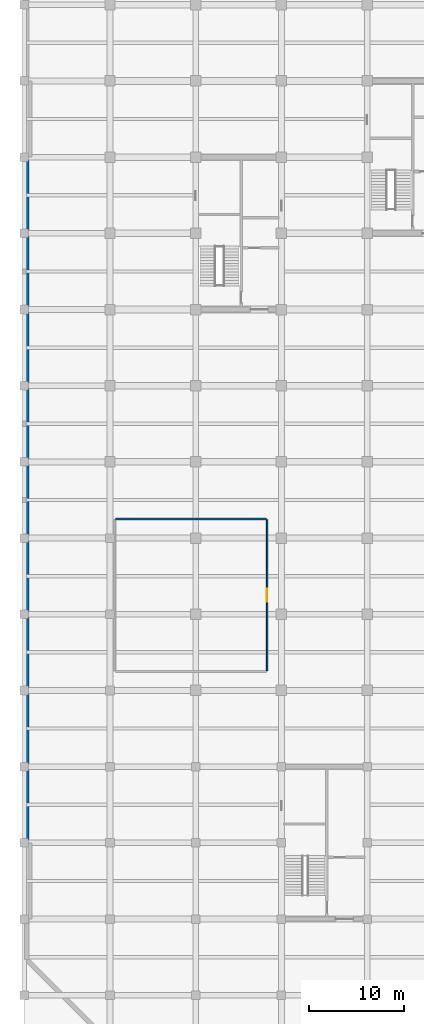
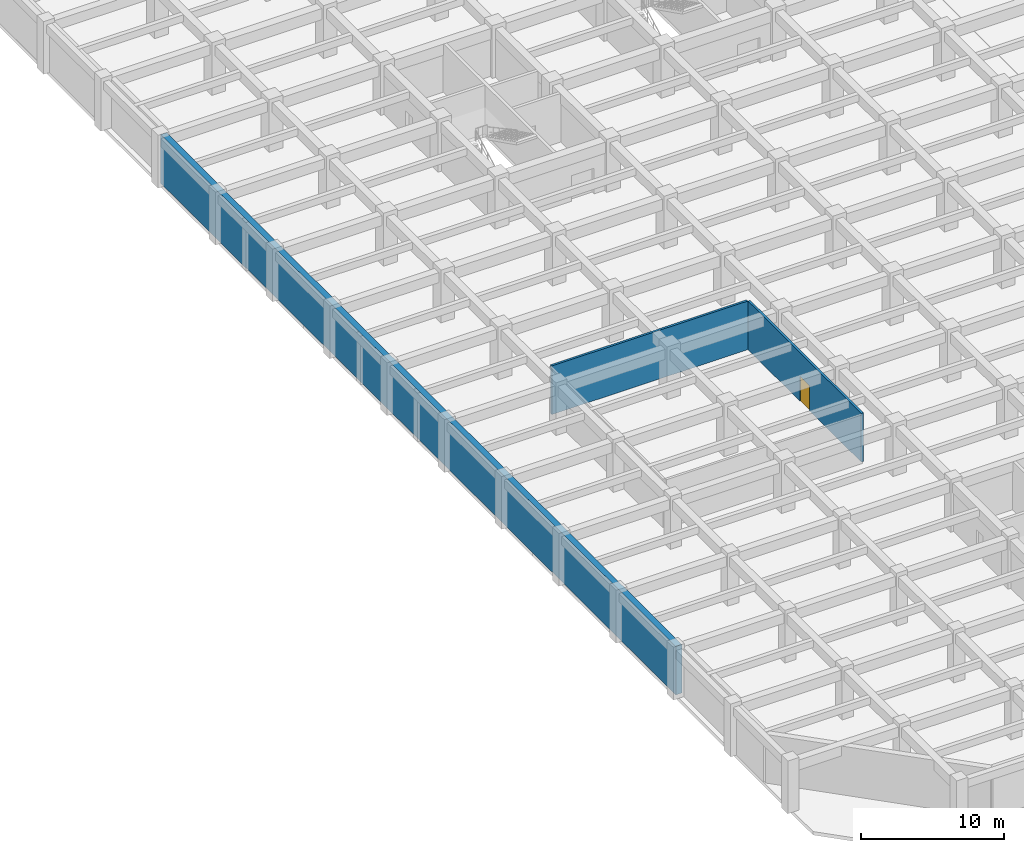
# One storey, part 10 of 26: 3 walls, 1 door, 1 opening.
"""IFC4 building model written with IfcOpenShell, lengths in metres."""

import ifcopenshell
import ifcopenshell.guid

model = None  # the IFC model being written
_history = None  # IfcOwnerHistory: only IFC2X3 demands one
_inside = {}  # id of a spatial element -> (the spatial element, [elements in it])
_under = {}  # id of a project, library or spatial element -> (it, [spatial elements below it])
_declared = {}  # id of a project -> (the project, [libraries it declares])
_typed = {}  # id of a type object -> (the type object, [elements of that type])
_made_of = {}  # id of a material, layer set ... -> (it, [elements and type objects made of it])


def new_model(schema):
    """Start an empty IFC model of exactly this schema.

    Asked for "IFC4X3", IfcOpenShell would pick the latest addendum, in which some entities
    have other attributes; the version numbers below select the first issue.
    IFC2X3 requires an IfcOwnerHistory on every rooted entity: one is made here for all.
    """
    global model, _history
    if schema == "IFC4X3":
        model = ifcopenshell.file(schema_version=(4, 3, 0, 0))
    else:
        model = ifcopenshell.file(schema=schema)
    _inside.clear()
    _under.clear()
    _declared.clear()
    _typed.clear()
    _made_of.clear()
    _history = None
    if model.schema == "IFC2X3":
        org = make("IfcOrganization", Name="unknown")
        user = make(
            "IfcPersonAndOrganization",
            ThePerson=make("IfcPerson", FamilyName="unknown"),
            TheOrganization=org,
        )
        app = make(
            "IfcApplication",
            ApplicationDeveloper=org,
            Version="unknown",
            ApplicationFullName="unknown",
            ApplicationIdentifier="unknown",
        )
        _history = make(
            "IfcOwnerHistory",
            OwningUser=user,
            OwningApplication=app,
            ChangeAction="ADDED",
            CreationDate=0,
        )
    return model


def make(cls, **values):
    """One entity of the class cls with the attributes given. An attribute that is None is left unset."""
    return model.create_entity(
        cls, **{name: value for name, value in values.items() if value is not None}
    )


def rooted(cls, **values):
    """An entity with a GlobalId (a new one), such as an element, a storey or a relation."""
    return make(cls, GlobalId=ifcopenshell.guid.new(), OwnerHistory=_history, **values)


def si_unit(unit_type, name, prefix=None):
    """IfcSIUnit, for example si_unit("LENGTHUNIT", "METRE", prefix="MILLI")."""
    return make("IfcSIUnit", UnitType=unit_type, Prefix=prefix, Name=name)


def assignment(units):
    """IfcUnitAssignment: the units of a project."""
    return None if units is None else make("IfcUnitAssignment", Units=units)


def point(xyz):
    """IfcCartesianPoint."""
    return None if xyz is None else make("IfcCartesianPoint", Coordinates=xyz)


def direction(xyz):
    """IfcDirection."""
    return None if xyz is None else make("IfcDirection", DirectionRatios=xyz)


def frame(location, z_axis=None, x_axis=None):
    """IfcAxis2Placement3D, a coordinate frame: its origin and axes. An axis left out is left unset."""
    return make(
        "IfcAxis2Placement3D",
        Location=point(location),
        Axis=direction(z_axis),
        RefDirection=direction(x_axis),
    )


def frame_2d(location, x_axis=None):
    """IfcAxis2Placement2D, a coordinate frame in the plane: its origin and x axis."""
    return make(
        "IfcAxis2Placement2D", Location=point(location), RefDirection=direction(x_axis)
    )


def origin():
    """The frame at (0, 0, 0) with its axes left unset."""
    return frame((0.0, 0.0, 0.0))


def place(relative_to, where):
    """IfcLocalPlacement: puts the frame where relative to a parent placement (None: the world)."""
    return make(
        "IfcLocalPlacement", PlacementRelTo=relative_to, RelativePlacement=where
    )


def context(
    kind, dimensions, precision=None, world=None, true_north=None, identifier=None
):
    """IfcGeometricRepresentationContext, for example the 3D "Model" context."""
    return make(
        "IfcGeometricRepresentationContext",
        ContextIdentifier=identifier,
        ContextType=kind,
        CoordinateSpaceDimension=dimensions,
        Precision=precision,
        WorldCoordinateSystem=world,
        TrueNorth=true_north,
    )


def subcontext(parent, identifier, kind, view, scale=None):
    """IfcGeometricRepresentationSubContext, for example "Body" below "Model"."""
    return make(
        "IfcGeometricRepresentationSubContext",
        ContextIdentifier=identifier,
        ContextType=kind,
        ParentContext=parent,
        TargetScale=scale,
        TargetView=view,
    )


def project(units=None, contexts=None):
    """IfcProject with its units and contexts."""
    return rooted(
        "IfcProject",
        Name="project",
        RepresentationContexts=contexts,
        UnitsInContext=assignment(units),
    )


def spatial(cls, under=None, at=None, **own):
    """A site, building, storey or space (cls), placed at a placement, below another one or the project."""
    s = rooted(cls, ObjectPlacement=at, **own)
    if under is not None:
        _under.setdefault(under.id(), (under, []))[1].append(s)
    return s


def profile(cls, at=None, kind="AREA", **sizes):
    """A parametric profile (cls). Its sizes go by their IFC names, for example OverallWidth=200.0."""
    return make(cls, ProfileType=kind, Position=at, **sizes)


def rectangle(**sizes):
    """IfcRectangleProfileDef."""
    return profile("IfcRectangleProfileDef", **sizes)


def extrude(swept, where, along, depth):
    """IfcExtrudedAreaSolid: the profile swept, set in the frame where, extruded along a direction by depth."""
    return make(
        "IfcExtrudedAreaSolid",
        SweptArea=swept,
        Position=where,
        ExtrudedDirection=direction(along),
        Depth=depth,
    )


def shape(context_of_items, identifier, shape_type, items):
    """IfcShapeRepresentation: the items that make up one representation, for example the "Body"."""
    return make(
        "IfcShapeRepresentation",
        ContextOfItems=context_of_items,
        RepresentationIdentifier=identifier,
        RepresentationType=shape_type,
        Items=items,
    )


def material(Name=None, Category=None):
    """IfcMaterial."""
    return make("IfcMaterial", Name=Name, Category=Category)


def layer(
    of_material, thickness, ventilated=None, Name=None, Category=None, Priority=None
):
    """IfcMaterialLayer: one layer of a wall or slab, of a material (None: an air gap)."""
    return make(
        "IfcMaterialLayer",
        Material=of_material,
        LayerThickness=thickness,
        IsVentilated=ventilated,
        Name=Name,
        Category=Category,
        Priority=Priority,
    )


def layer_set(layers, Name=None):
    """IfcMaterialLayerSet."""
    return make("IfcMaterialLayerSet", MaterialLayers=layers, LayerSetName=Name)


def made_of(thing, what):
    """Note that an element or type object is made of a material, layer set ...; save() writes the relation."""
    if what is not None:
        _made_of.setdefault(what.id(), (what, []))[1].append(thing)
    return thing


def type_object(cls, material=None, **own):
    """A type object (cls), such as IfcWallType, which elements share."""
    return made_of(rooted(cls, **own), material)


def element(
    cls,
    number,
    at=None,
    inside=None,
    cuts=None,
    type_object=None,
    material=None,
    context=None,
    identifier="Body",
    shape_type=None,
    held_by="IfcProductDefinitionShape",
    body=None,
    shapes=None,
    **own,
):
    """One element of the class cls, such as IfcWall. Its Tag is "e" and its number.

    at: its placement. inside: the storey or other place that contains it. cuts: it is an
    opening in that element (IfcRelVoidsElement). A single representation is given by context,
    identifier, shape_type and body (its items); several are given by shapes. held_by: the class
    of the entity that holds the representations. save() writes the other relations.
    """
    e = rooted(cls, Tag="e%d" % number, ObjectPlacement=at, **own)
    if body is not None:
        shapes = [shape(context, identifier, shape_type, body)]
    if shapes is not None:
        e.Representation = make(held_by, Representations=shapes)
    if inside is not None:
        _inside.setdefault(inside.id(), (inside, []))[1].append(e)
    if cuts is not None:
        rooted(
            "IfcRelVoidsElement", RelatingBuildingElement=cuts, RelatedOpeningElement=e
        )
    if type_object is not None:
        _typed.setdefault(type_object.id(), (type_object, []))[1].append(e)
    return made_of(e, material)


def fill(opening, filler):
    """IfcRelFillsElement: the door or window that sits in an opening."""
    return rooted(
        "IfcRelFillsElement",
        RelatingOpeningElement=opening,
        RelatedBuildingElement=filler,
    )


def aggregate(whole, parts):
    """IfcRelAggregates: a whole, such as a stair, and the parts it consists of."""
    return rooted("IfcRelAggregates", RelatingObject=whole, RelatedObjects=parts)


def save(model, path):
    """Write the relations noted so far, then the file.

    IfcRelAggregates (storeys below a building ...), IfcRelContainedInSpatialStructure (elements
    in a storey), IfcRelDefinesByType, IfcRelAssociatesMaterial and IfcRelDeclares: one each for
    every whole, place, type object, material and project.
    """
    for whole, parts in _under.values():
        aggregate(whole, parts)
    for where, things in _inside.values():
        rooted(
            "IfcRelContainedInSpatialStructure",
            RelatedElements=things,
            RelatingStructure=where,
        )
    for kind, things in _typed.values():
        rooted("IfcRelDefinesByType", RelatedObjects=things, RelatingType=kind)
    for what, things in _made_of.values():
        rooted("IfcRelAssociatesMaterial", RelatedObjects=things, RelatingMaterial=what)
    for by, libraries in _declared.values():
        rooted("IfcRelDeclares", RelatingContext=by, RelatedDefinitions=libraries)
    model.write(path)


model = new_model("IFC4")

# Units and contexts
model_context = context("Model", 3, precision=1e-05, world=origin(), true_north=direction((0.0, 1.0)))
body_context = subcontext(model_context, "Body", "Model", "MODEL_VIEW")
ifc_project = project(units=[si_unit("LENGTHUNIT", "METRE"), si_unit("AREAUNIT", "SQUARE_METRE"), si_unit("VOLUMEUNIT", "CUBIC_METRE"), si_unit("PLANEANGLEUNIT", "RADIAN"), si_unit("MASSUNIT", "GRAM", prefix="KILO")], contexts=[model_context])

# Site, building, storey
site_placement = place(None, origin())
site = spatial("IfcSite", under=ifc_project, at=site_placement, CompositionType="ELEMENT")
building_placement = place(site_placement, origin())
building = spatial("IfcBuilding", under=site, at=building_placement, Name="Zaverband Oceanarium and Marine Research Institute", CompositionType="ELEMENT")
storey_placement = place(building_placement, frame((0.0, 0.0, -4.5)))
storey = spatial("IfcBuildingStorey", under=building, at=storey_placement, Name="B1", CompositionType="ELEMENT", Elevation=-4.5)

# Wall
ifc_material_1 = material(Name="Moisture-resistant laboratory blockwork", Category="masonry")
ifc_layer_1 = layer(ifc_material_1, 0.179931640625, Name="Moisture-resistant laboratory blockwork")
ifc_layer_set_1 = layer_set([ifc_layer_1], Name="Moisture-resistant laboratory blockwork")
wall_type_1 = type_object("IfcWallType", Name="PT-180-LB", PredefinedType="PARTITIONING", material=ifc_layer_set_1)
wall_1_placement = place(storey_placement, frame((9.590087890625, 58.0, 0.0), z_axis=(0.0, 0.0, 1.0), x_axis=(1.0, 0.0, 0.0)))
element("IfcWall", 1, at=wall_1_placement, inside=storey, type_object=wall_type_1, Name="Internal partition PT-180-LB", PredefinedType="PARTITIONING", context=body_context, shape_type="SweptSolid", body=[
    extrude(rectangle(XDim=15.81982421875, YDim=0.179931640625, at=frame_2d((7.909912109375, 0.0))), origin(), (0.0, 0.0, 1.0), 4.14990234375),
])

# Wall, opening, door
wall_2_placement = place(storey_placement, frame((25.5, 42.090087890625, 0.0), z_axis=(0.0, 0.0, 1.0), x_axis=(0.0, 1.0, 0.0)))
wall_2 = element("IfcWall", 2, at=wall_2_placement, inside=storey, type_object=wall_type_1, Name="Internal partition PT-180-LB", PredefinedType="PARTITIONING", context=body_context, shape_type="SweptSolid", body=[
    extrude(rectangle(XDim=15.81982421875, YDim=0.179931640625, at=frame_2d((7.909912109375, 0.0))), origin(), (0.0, 0.0, 1.0), 4.14990234375),
])
opening_placement = place(wall_2_placement, frame((7.235107421875, 0.0, 0.0)))
opening = element("IfcOpeningElement", 3, at=opening_placement, cuts=wall_2, Name="Opening ID-1350x2140", PredefinedType="OPENING", context=body_context, shape_type="SweptSolid", body=[
    extrude(rectangle(XDim=1.35009765625, YDim=2.139892578125, at=frame_2d((0.675048828125, 1.06982421875))), frame((0.0, 0.10205078125, 0.0), z_axis=(0.0, -1.0, 0.0), x_axis=(1.0, 0.0, 0.0)), (0.0, 0.0, 1.0), 0.203857421875),
])
ifc_material_2 = material(Name="Hardwood-veneered acoustic timber", Category="wood")
door_type = type_object("IfcDoorType", Name="ID-1350x2140", OperationType="NOTDEFINED", PredefinedType="DOOR", material=ifc_material_2)
door_placement = place(opening_placement, origin())
door = element("IfcDoor", 4, at=door_placement, inside=storey, type_object=door_type, Name="Oceanography laboratory equipment door ID-1350x2140", OperationType="SINGLE_SWING_RIGHT", OverallHeight=2.139892578125, OverallWidth=1.35009765625, PredefinedType="DOOR", context=body_context, shape_type="SweptSolid", body=[
    extrude(rectangle(XDim=1.35009765625, YDim=2.139892578125, at=frame_2d((0.675048828125, 1.06982421875))), frame((0.0, 0.02490234375, 0.0), z_axis=(0.0, -1.0, 0.0), x_axis=(1.0, 0.0, 0.0)), (0.0, 0.0, 1.0), 0.050048828125),
])
fill(opening, door)

# Wall
ifc_material_3 = material(Name="Concrete C45/55", Category="concrete")
ifc_layer_2 = layer(ifc_material_3, 0.47998046875, Name="Concrete C45/55")
ifc_layer_set_2 = layer_set([ifc_layer_2], Name="Concrete C45/55")
wall_type_2 = type_object("IfcWallType", Name="RW-01", PredefinedType="SHEAR", material=ifc_layer_set_2)
wall_3_placement = place(storey_placement, frame((0.25, 96.0, 0.0), z_axis=(0.0, 0.0, 1.0), x_axis=(0.0, -1.0, 0.0)))
element("IfcWall", 5, at=wall_3_placement, inside=storey, type_object=wall_type_2, Name="Basement retaining wall RW-01", PredefinedType="SHEAR", context=body_context, shape_type="SweptSolid", body=[
    extrude(rectangle(XDim=72.0, YDim=0.47998046875, at=frame_2d((36.0, 0.0))), origin(), (0.0, 0.0, 1.0), 4.14990234375),
])

save(model, "model.ifc")
